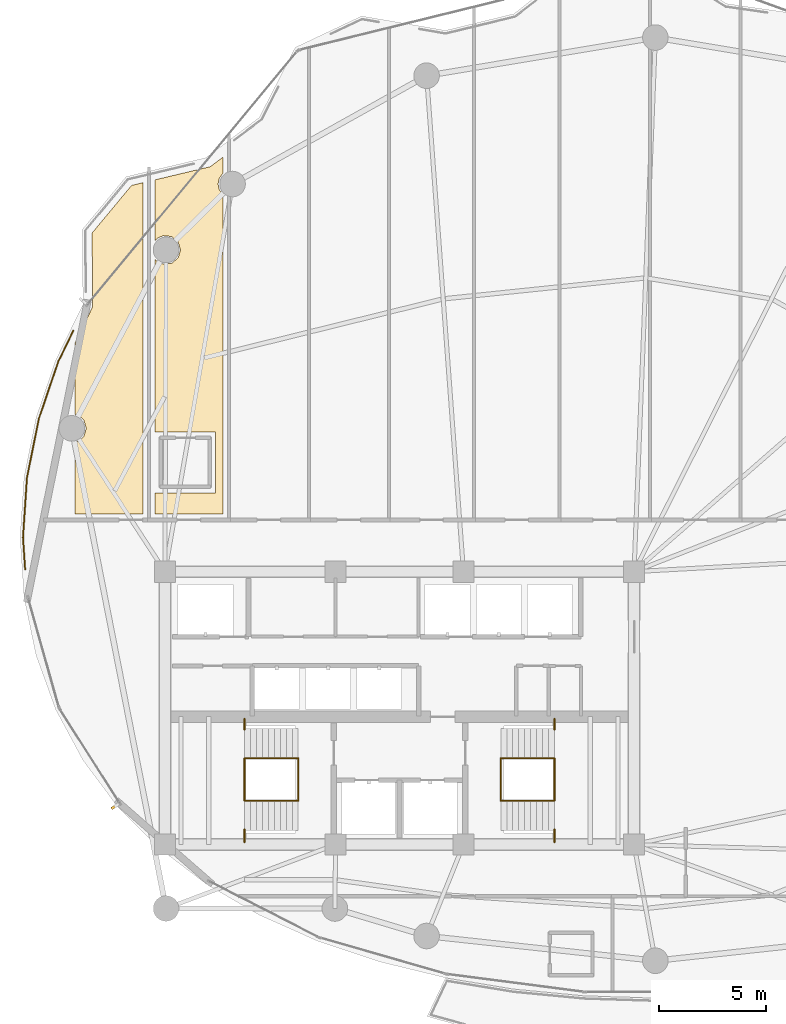
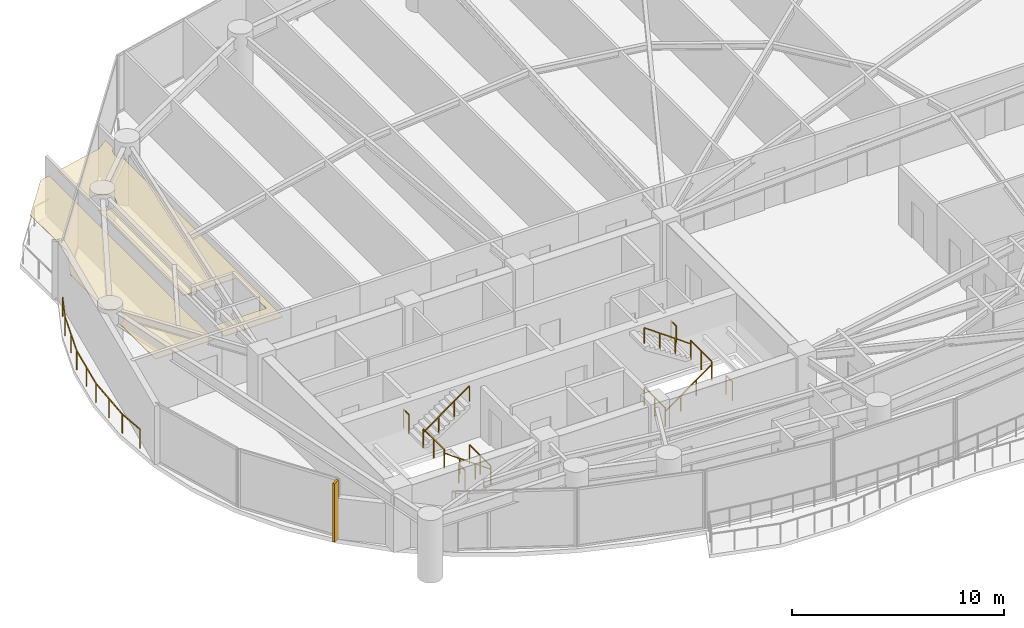
# One storey, part 26 of 28: 13 railings, 2 coverings, 1 shading device.
"""IFC4 building model written with IfcOpenShell, lengths in metres."""

from ifc_helpers import new_model, si_unit, direction, frame, origin, origin_2d, place, context, subcontext, project, spatial, polyline, rectangle, outline, extrude, material, layer, layer_set, type_object, element, save


model = new_model("IFC4")

# Units and contexts
model_context = context("Model", 3, precision=1e-05, world=origin(), true_north=direction((0.0, 1.0)))
body_context = subcontext(model_context, "Body", "Model", "MODEL_VIEW")
ifc_project = project(units=[si_unit("LENGTHUNIT", "METRE"), si_unit("AREAUNIT", "SQUARE_METRE"), si_unit("VOLUMEUNIT", "CUBIC_METRE"), si_unit("PLANEANGLEUNIT", "RADIAN"), si_unit("MASSUNIT", "GRAM", prefix="KILO")], contexts=[model_context])

# Site, building, storey
site_placement = place(None, origin())
site = spatial("IfcSite", under=ifc_project, at=site_placement, CompositionType="ELEMENT")
building_placement = place(site_placement, origin())
building = spatial("IfcBuilding", under=site, at=building_placement, Name="Kazevale Care Tower and Concert Hall", CompositionType="ELEMENT")
storey_placement = place(building_placement, frame((0.0, 0.0, 120.60009765625)))
storey = spatial("IfcBuildingStorey", under=building, at=storey_placement, Name="L31", CompositionType="ELEMENT", Elevation=120.60009765625)

# Coverings
ifc_material_1 = material(Name="Acoustic Plaster and Hinoki Wood", Category="wood")
ifc_layer = layer(ifc_material_1, 0.0400390625)
ifc_layer_set = layer_set([ifc_layer], Name="Acoustic Plaster and Hinoki Wood")
covering_type = type_object("IfcCoveringType", Name="Acoustic Perforated Wood-Gypsum Ceiling", PredefinedType="CEILING", material=ifc_layer_set)
covering_1_placement = place(storey_placement, frame((0.0, 0.0, 2.7099609375)))
element("IfcCovering", 1, at=covering_1_placement, inside=storey, type_object=covering_type, Name="clg:L31:1", PredefinedType="CEILING", context=body_context, shape_type="SweptSolid", body=[
    extrude(outline(polyline([(18.612060546875, 48.8291015625), (18.577880859375, 52.281005859375), (20.43310546875, 54.51611328125), (20.969970703125, 54.64306640625), (20.969970703125, 39.10498046875), (17.780029296875, 39.10498046875), (17.780029296875, 42.4580078125), (18.008056640625, 42.554931640625), (18.195068359375, 42.741943359375), (18.31005859375, 43.1201171875), (18.195068359375, 43.498046875), (18.008056640625, 43.68505859375), (17.780029296875, 43.781982421875), (17.780029296875, 47.1298828125), (18.612060546875, 48.8291015625)])), origin(), (0.0, 0.0, 1.0), 0.0400390625),
])
covering_2_placement = place(storey_placement, frame((0.0, 0.0, 2.7099609375)))
element("IfcCovering", 2, at=covering_2_placement, inside=storey, type_object=covering_type, Name="clg:L31:2", PredefinedType="CEILING", context=body_context, shape_type="SweptSolid", body=[
    extrude(outline(polyline([(24.3798828125, 40.094970703125), (24.3798828125, 42.955078125), (21.530029296875, 42.955078125), (21.530029296875, 51.056884765625), (21.672119140625, 50.925048828125), (21.9169921875, 50.822998046875), (22.31005859375, 50.862060546875), (22.614990234375, 51.112060546875), (22.72998046875, 51.489990234375), (22.614990234375, 51.867919921875), (22.31005859375, 52.117919921875), (21.9169921875, 52.156982421875), (21.672119140625, 52.054931640625), (21.530029296875, 51.923095703125), (21.530029296875, 54.77587890625), (24.1279296875, 55.39404296875), (24.719970703125, 55.841064453125), (24.719970703125, 55.0859375), (24.5419921875, 54.840087890625), (24.489990234375, 54.580078125), (24.5419921875, 54.320068359375), (24.719970703125, 54.073974609375), (24.719970703125, 39.10498046875), (21.530029296875, 39.10498046875), (21.530029296875, 40.094970703125), (24.3798828125, 40.094970703125)])), origin(), (0.0, 0.0, 1.0), 0.0400390625),
])

# Railings
ifc_material_2 = material(Name="Anodised Bronze Aluminium and Laminated Glass", Category="aluminium")
railing_type_1 = type_object("IfcRailingType", Name="Balcony and Terrace Balustrade 1120", PredefinedType="BALUSTRADE", material=ifc_material_2)
railing_1_placement = place(storey_placement, frame((15.43994140625, 36.514892578125, 0.0)))
element("IfcRailing", 3, at=railing_1_placement, inside=storey, type_object=railing_type_1, Name="rail:L31:perim:1", PredefinedType="BALUSTRADE", context=body_context, shape_type="SweptSolid", body=[
    extrude(rectangle(XDim=0.048095703125, YDim=0.048095703125, at=origin_2d()), frame((0.0, 0.0, 1.09619140625), z_axis=(-0.067085094259, 0.99774725764, 0.0), x_axis=(-0.99774725764, -0.067085094259, 0.0)), (0.0, 0.0, 1.0), 1.488525390625),
    extrude(rectangle(XDim=0.048095703125, YDim=0.048095703125, at=origin_2d()), frame((-0.099853515625, 1.485107421875, 1.09619140625), z_axis=(0.066138294973, 0.997810465939, 0.0), x_axis=(-0.997810465939, 0.066138294973, 0.0)), (0.0, 0.0, 1.0), 2.80908203125),
    extrude(rectangle(XDim=0.048095703125, YDim=0.048095703125, at=origin_2d()), frame((0.0859375, 4.2880859375, 1.09619140625), z_axis=(0.197313197068, 0.980340503225, 0.0), x_axis=(-0.980340503225, 0.197313197068, 0.0)), (0.0, 0.0, 1.0), 2.823486328125),
    extrude(rectangle(XDim=0.048095703125, YDim=0.048095703125, at=origin_2d()), frame((0.64306640625, 7.05615234375, 1.09619140625), z_axis=(0.322414050189, 0.946598742996, 0.0), x_axis=(-0.946598742996, 0.322414050189, 0.0)), (0.0, 0.0, 1.0), 2.85009765625),
    extrude(rectangle(XDim=0.048095703125, YDim=0.048095703125, at=origin_2d()), frame((1.56201171875, 9.754150390625, 1.09619140625), z_axis=(0.44003868985, 0.89797881458, 0.0), x_axis=(-0.89797881458, 0.44003868985, 0.0)), (0.0, 0.0, 1.0), 1.595703125),
    extrude(rectangle(XDim=0.0419921875, YDim=0.0419921875, at=origin_2d()), origin(), (0.0, 0.0, 1.0), 1.072021484375),
    extrude(rectangle(XDim=0.0419921875, YDim=0.0419921875, at=origin_2d()), frame((-0.099853515625, 1.485107421875, 0.0)), (0.0, 0.0, 1.0), 1.072021484375),
    extrude(rectangle(XDim=0.0419921875, YDim=0.0419921875, at=origin_2d()), frame((-0.0068359375, 2.88671875, 0.0)), (0.0, 0.0, 1.0), 1.072021484375),
    extrude(rectangle(XDim=0.0419921875, YDim=0.0419921875, at=origin_2d()), frame((0.0859375, 4.2880859375, 0.0)), (0.0, 0.0, 1.0), 1.072021484375),
    extrude(rectangle(XDim=0.0419921875, YDim=0.0419921875, at=origin_2d()), frame((0.364501953125, 5.672119140625, 0.0)), (0.0, 0.0, 1.0), 1.072021484375),
    extrude(rectangle(XDim=0.0419921875, YDim=0.0419921875, at=origin_2d()), frame((0.64306640625, 7.05615234375, 0.0)), (0.0, 0.0, 1.0), 1.072021484375),
    extrude(rectangle(XDim=0.0419921875, YDim=0.0419921875, at=origin_2d()), frame((1.1025390625, 8.4052734375, 0.0)), (0.0, 0.0, 1.0), 1.072021484375),
    extrude(rectangle(XDim=0.0419921875, YDim=0.0419921875, at=origin_2d()), frame((1.56201171875, 9.754150390625, 0.0)), (0.0, 0.0, 1.0), 1.072021484375),
    extrude(rectangle(XDim=0.0419921875, YDim=0.0419921875, at=origin_2d()), frame((2.26416015625, 11.18701171875, 0.0)), (0.0, 0.0, 1.0), 1.072021484375),
])
ifc_material_3 = material(Name="Stainless Steel 316", Category="steel")
railing_type_2 = type_object("IfcRailingType", Name="Stair Pitch Handrail 920", PredefinedType="HANDRAIL", material=ifc_material_3)
railing_2_placement = place(storey_placement, frame((28.25, 25.659912109375, 0.0)))
element("IfcRailing", 4, at=railing_2_placement, inside=storey, type_object=railing_type_2, Name="stair:L31:ST1:hr1", PredefinedType="HANDRAIL", context=body_context, shape_type="SweptSolid", body=[
    extrude(rectangle(XDim=0.048095703125, YDim=0.048095703125, at=origin_2d()), frame((0.0, 0.0, 0.89599609375), z_axis=(-0.813765431312, 0.0, 0.581193446971), x_axis=(0.0, -1.0, 0.0)), (0.0, 0.0, 1.0), 3.0966796875),
    extrude(rectangle(XDim=0.0419921875, YDim=0.0419921875, at=origin_2d()), origin(), (0.0, 0.0, 1.0), 0.871826171875),
    extrude(rectangle(XDim=0.0419921875, YDim=0.0419921875, at=origin_2d()), frame((-0.840087890625, 0.0, 0.599853515625)), (0.0, 0.0, 1.0), 0.871826171875),
    extrude(rectangle(XDim=0.0419921875, YDim=0.0419921875, at=origin_2d()), frame((-1.679931640625, 0.0, 1.199951171875)), (0.0, 0.0, 1.0), 0.871826171875),
    extrude(rectangle(XDim=0.0419921875, YDim=0.0419921875, at=origin_2d()), frame((-2.52001953125, 0.0, 1.7998046875)), (0.0, 0.0, 1.0), 0.871826171875),
])
railing_3_placement = place(storey_placement, frame((25.72998046875, 27.639892578125, 1.7998046875)))
element("IfcRailing", 5, at=railing_3_placement, inside=storey, type_object=railing_type_2, Name="stair:L31:ST1:hr2", PredefinedType="HANDRAIL", context=body_context, shape_type="SweptSolid", body=[
    extrude(rectangle(XDim=0.048095703125, YDim=0.048095703125, at=origin_2d()), frame((0.0, 0.0, 0.89599609375), z_axis=(0.813728144527, 0.0, 0.581245650998), x_axis=(0.0, 1.0, 0.0)), (0.0, 0.0, 1.0), 3.096923828125),
    extrude(rectangle(XDim=0.0419921875, YDim=0.0419921875, at=origin_2d()), origin(), (0.0, 0.0, 1.0), 0.871826171875),
    extrude(rectangle(XDim=0.0419921875, YDim=0.0419921875, at=origin_2d()), frame((0.840087890625, 0.0, 0.60009765625)), (0.0, 0.0, 1.0), 0.871826171875),
    extrude(rectangle(XDim=0.0419921875, YDim=0.0419921875, at=origin_2d()), frame((1.679931640625, 0.0, 1.199951171875)), (0.0, 0.0, 1.0), 0.871826171875),
    extrude(rectangle(XDim=0.0419921875, YDim=0.0419921875, at=origin_2d()), frame((2.52001953125, 0.0, 1.800048828125)), (0.0, 0.0, 1.0), 0.871826171875),
])
railing_4_placement = place(storey_placement, frame((37.75, 25.659912109375, 0.0)))
element("IfcRailing", 6, at=railing_4_placement, inside=storey, type_object=railing_type_2, Name="stair:L31:ST2:hr1", PredefinedType="HANDRAIL", context=body_context, shape_type="SweptSolid", body=[
    extrude(rectangle(XDim=0.048095703125, YDim=0.048095703125, at=origin_2d()), frame((0.0, 0.0, 0.89599609375), z_axis=(0.813765431312, 0.0, 0.581193446971), x_axis=(0.0, 1.0, 0.0)), (0.0, 0.0, 1.0), 3.0966796875),
    extrude(rectangle(XDim=0.0419921875, YDim=0.0419921875, at=origin_2d()), origin(), (0.0, 0.0, 1.0), 0.871826171875),
    extrude(rectangle(XDim=0.0419921875, YDim=0.0419921875, at=origin_2d()), frame((0.840087890625, 0.0, 0.599853515625)), (0.0, 0.0, 1.0), 0.871826171875),
    extrude(rectangle(XDim=0.0419921875, YDim=0.0419921875, at=origin_2d()), frame((1.679931640625, 0.0, 1.199951171875)), (0.0, 0.0, 1.0), 0.871826171875),
    extrude(rectangle(XDim=0.0419921875, YDim=0.0419921875, at=origin_2d()), frame((2.52001953125, 0.0, 1.7998046875)), (0.0, 0.0, 1.0), 0.871826171875),
])
railing_5_placement = place(storey_placement, frame((40.27001953125, 27.639892578125, 1.7998046875)))
element("IfcRailing", 7, at=railing_5_placement, inside=storey, type_object=railing_type_2, Name="stair:L31:ST2:hr2", PredefinedType="HANDRAIL", context=body_context, shape_type="SweptSolid", body=[
    extrude(rectangle(XDim=0.048095703125, YDim=0.048095703125, at=origin_2d()), frame((0.0, 0.0, 0.89599609375), z_axis=(-0.813728144527, 0.0, 0.581245650998), x_axis=(0.0, -1.0, 0.0)), (0.0, 0.0, 1.0), 3.096923828125),
    extrude(rectangle(XDim=0.0419921875, YDim=0.0419921875, at=origin_2d()), origin(), (0.0, 0.0, 1.0), 0.871826171875),
    extrude(rectangle(XDim=0.0419921875, YDim=0.0419921875, at=origin_2d()), frame((-0.840087890625, 0.0, 0.60009765625)), (0.0, 0.0, 1.0), 0.871826171875),
    extrude(rectangle(XDim=0.0419921875, YDim=0.0419921875, at=origin_2d()), frame((-1.679931640625, 0.0, 1.199951171875)), (0.0, 0.0, 1.0), 0.871826171875),
    extrude(rectangle(XDim=0.0419921875, YDim=0.0419921875, at=origin_2d()), frame((-2.52001953125, 0.0, 1.800048828125)), (0.0, 0.0, 1.0), 0.871826171875),
])
railing_type_3 = type_object("IfcRailingType", Name="Stair Well Guard Balustrade 1120", PredefinedType="BALUSTRADE", material=ifc_material_3)
railing_6_placement = place(storey_placement, frame((25.72998046875, 23.699951171875, 1.7998046875)))
element("IfcRailing", 8, at=railing_6_placement, inside=storey, type_object=railing_type_3, Name="stair:L31:ST1:grd_side1", PredefinedType="BALUSTRADE", context=body_context, shape_type="SweptSolid", body=[
    extrude(rectangle(XDim=0.048095703125, YDim=0.048095703125, at=origin_2d()), frame((0.0, 0.0, 1.09619140625), z_axis=(0.0, 1.0, 0.0), x_axis=(-1.0, 0.0, 0.0)), (0.0, 0.0, 1.0), 0.610107421875),
    extrude(rectangle(XDim=0.0419921875, YDim=0.0419921875, at=origin_2d()), origin(), (0.0, 0.0, 1.0), 1.072021484375),
    extrude(rectangle(XDim=0.0419921875, YDim=0.0419921875, at=origin_2d()), frame((0.0, 0.610107421875, 0.0)), (0.0, 0.0, 1.0), 1.072021484375),
])
railing_7_placement = place(storey_placement, frame((25.72998046875, 28.989990234375, 1.7998046875)))
element("IfcRailing", 9, at=railing_7_placement, inside=storey, type_object=railing_type_3, Name="stair:L31:ST1:grd_side2", PredefinedType="BALUSTRADE", context=body_context, shape_type="SweptSolid", body=[
    extrude(rectangle(XDim=0.048095703125, YDim=0.048095703125, at=origin_2d()), frame((0.0, 0.0, 1.09619140625), z_axis=(0.0, 1.0, 0.0), x_axis=(-1.0, 0.0, 0.0)), (0.0, 0.0, 1.0), 0.510009765625),
    extrude(rectangle(XDim=0.0419921875, YDim=0.0419921875, at=origin_2d()), origin(), (0.0, 0.0, 1.0), 1.072021484375),
    extrude(rectangle(XDim=0.0419921875, YDim=0.0419921875, at=origin_2d()), frame((0.0, 0.510009765625, 0.0)), (0.0, 0.0, 1.0), 1.072021484375),
])
for number, where, name in (
    (10, (25.72998046875, 25.659912109375, 1.7998046875), "stair:L31:ST1:grd_mid"),
    (11, (28.25, 25.659912109375, 0.0), "stair:L31:ST1:grd_flr"),
):
    element("IfcRailing", number, at=place(storey_placement, frame(where)), inside=storey, type_object=railing_type_3, Name=name, PredefinedType="BALUSTRADE", context=body_context, shape_type="SweptSolid", body=[
        extrude(rectangle(XDim=0.048095703125, YDim=0.048095703125, at=origin_2d()), frame((0.0, 0.0, 1.09619140625), z_axis=(0.0, 1.0, 0.0), x_axis=(-1.0, 0.0, 0.0)), (0.0, 0.0, 1.0), 1.97998046875),
        extrude(rectangle(XDim=0.0419921875, YDim=0.0419921875, at=origin_2d()), origin(), (0.0, 0.0, 1.0), 1.072021484375),
        extrude(rectangle(XDim=0.0419921875, YDim=0.0419921875, at=origin_2d()), frame((0.0, 0.989990234375, 0.0)), (0.0, 0.0, 1.0), 1.072021484375),
        extrude(rectangle(XDim=0.0419921875, YDim=0.0419921875, at=origin_2d()), frame((0.0, 1.97998046875, 0.0)), (0.0, 0.0, 1.0), 1.072021484375),
    ])
railing_8_placement = place(storey_placement, frame((40.27001953125, 23.699951171875, 1.7998046875)))
element("IfcRailing", 12, at=railing_8_placement, inside=storey, type_object=railing_type_3, Name="stair:L31:ST2:grd_side1", PredefinedType="BALUSTRADE", context=body_context, shape_type="SweptSolid", body=[
    extrude(rectangle(XDim=0.048095703125, YDim=0.048095703125, at=origin_2d()), frame((0.0, 0.0, 1.09619140625), z_axis=(0.0, 1.0, 0.0), x_axis=(-1.0, 0.0, 0.0)), (0.0, 0.0, 1.0), 0.610107421875),
    extrude(rectangle(XDim=0.0419921875, YDim=0.0419921875, at=origin_2d()), origin(), (0.0, 0.0, 1.0), 1.072021484375),
    extrude(rectangle(XDim=0.0419921875, YDim=0.0419921875, at=origin_2d()), frame((0.0, 0.610107421875, 0.0)), (0.0, 0.0, 1.0), 1.072021484375),
])
railing_9_placement = place(storey_placement, frame((40.27001953125, 28.989990234375, 1.7998046875)))
element("IfcRailing", 13, at=railing_9_placement, inside=storey, type_object=railing_type_3, Name="stair:L31:ST2:grd_side2", PredefinedType="BALUSTRADE", context=body_context, shape_type="SweptSolid", body=[
    extrude(rectangle(XDim=0.048095703125, YDim=0.048095703125, at=origin_2d()), frame((0.0, 0.0, 1.09619140625), z_axis=(0.0, 1.0, 0.0), x_axis=(-1.0, 0.0, 0.0)), (0.0, 0.0, 1.0), 0.510009765625),
    extrude(rectangle(XDim=0.0419921875, YDim=0.0419921875, at=origin_2d()), origin(), (0.0, 0.0, 1.0), 1.072021484375),
    extrude(rectangle(XDim=0.0419921875, YDim=0.0419921875, at=origin_2d()), frame((0.0, 0.510009765625, 0.0)), (0.0, 0.0, 1.0), 1.072021484375),
])
for number, where, name in (
    (14, (40.27001953125, 25.659912109375, 1.7998046875), "stair:L31:ST2:grd_mid"),
    (15, (37.75, 25.659912109375, 0.0), "stair:L31:ST2:grd_flr"),
):
    element("IfcRailing", number, at=place(storey_placement, frame(where)), inside=storey, type_object=railing_type_3, Name=name, PredefinedType="BALUSTRADE", context=body_context, shape_type="SweptSolid", body=[
        extrude(rectangle(XDim=0.048095703125, YDim=0.048095703125, at=origin_2d()), frame((0.0, 0.0, 1.09619140625), z_axis=(0.0, 1.0, 0.0), x_axis=(-1.0, 0.0, 0.0)), (0.0, 0.0, 1.0), 1.97998046875),
        extrude(rectangle(XDim=0.0419921875, YDim=0.0419921875, at=origin_2d()), origin(), (0.0, 0.0, 1.0), 1.072021484375),
        extrude(rectangle(XDim=0.0419921875, YDim=0.0419921875, at=origin_2d()), frame((0.0, 0.989990234375, 0.0)), (0.0, 0.0, 1.0), 1.072021484375),
        extrude(rectangle(XDim=0.0419921875, YDim=0.0419921875, at=origin_2d()), frame((0.0, 1.97998046875, 0.0)), (0.0, 0.0, 1.0), 1.072021484375),
    ])

# Shading device
ifc_material_4 = material(Name="Honed Ochre Limestone", Category="masonry")
shading_device_type = type_object("IfcShadingDeviceType", Name="Vertical Honed Limestone Fin FIN-01", PredefinedType="USERDEFINED", material=ifc_material_4)
shading_device_placement = place(storey_placement, frame((19.649658203125, 25.387451171875, 0.0), z_axis=(0.0, 0.0, 1.0), x_axis=(-0.843391445813, -0.537299608347, 0.0)))
element("IfcShadingDevice", 16, at=shading_device_placement, inside=storey, type_object=shading_device_type, Name="cw:L31:f11:fin", ObjectType="FIN", PredefinedType="USERDEFINED", context=body_context, shape_type="SweptSolid", body=[
    extrude(rectangle(XDim=0.3798828125, YDim=0.1201171875, at=origin_2d()), origin(), (0.0, 0.0, 1.0), 3.360107421875),
])

save(model, "model.ifc")
